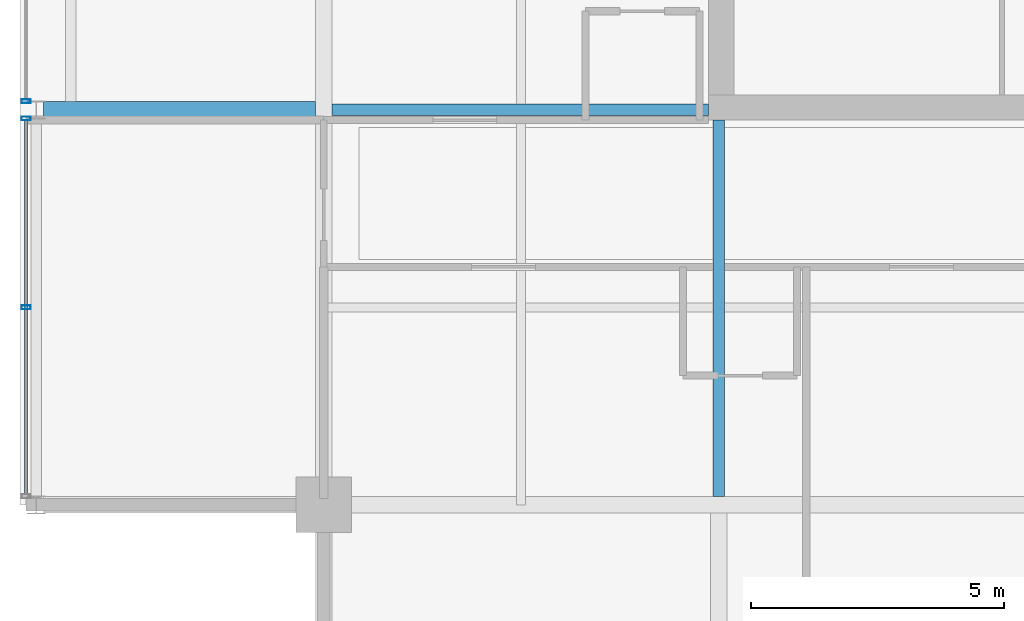
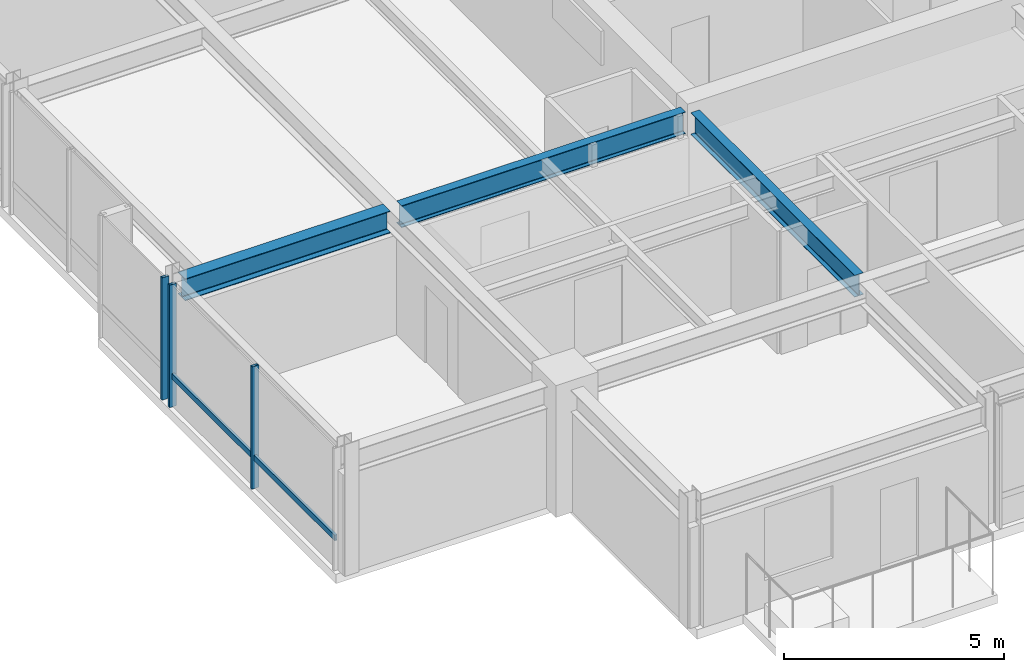
# One storey, part 6 of 34: 4 members, 3 beams, 2 elements without a shape of their own.
"""IFC4 building model written with IfcOpenShell, lengths in metres."""

from ifc_helpers import new_model, si_unit, direction, frame, origin, origin_2d, place, context, subcontext, project, spatial, hollow_rectangle, i_section, extrude, material, layer, layer_set, material_profile, profile_set, type_object, element, aggregate, save


model = new_model("IFC4")

# Units and contexts
model_context = context("Model", 3, precision=1e-05, world=origin(), true_north=direction((0.0, 1.0)))
body_context = subcontext(model_context, "Body", "Model", "MODEL_VIEW")
ifc_project = project(units=[si_unit("LENGTHUNIT", "METRE"), si_unit("AREAUNIT", "SQUARE_METRE"), si_unit("VOLUMEUNIT", "CUBIC_METRE"), si_unit("PLANEANGLEUNIT", "RADIAN"), si_unit("MASSUNIT", "GRAM", prefix="KILO")], contexts=[model_context])

# Site, building, storey
site_placement = place(None, origin())
site = spatial("IfcSite", under=ifc_project, at=site_placement, CompositionType="ELEMENT")
building_placement = place(site_placement, origin())
building = spatial("IfcBuilding", under=site, at=building_placement, Name="Drelvath Grand Hotel", CompositionType="ELEMENT")
storey_placement = place(building_placement, frame((0.0, 0.0, 286.89990234375)))
storey = spatial("IfcBuildingStorey", under=building, at=storey_placement, Name="L75", CompositionType="ELEMENT", Elevation=286.89990234375)

# Curtain wall, members
ifc_material_1 = material(Name="Platinum-Mist Anodised Aluminium Frame", Category="aluminium")
ifc_layer = layer(ifc_material_1, 0.199951171875)
ifc_layer_set = layer_set([ifc_layer], Name="Platinum-Mist Anodised Aluminium Frame")
curtain_wall_type = type_object("IfcCurtainWallType", Name="Stick Curtain Wall CW-05 Platinum Mist High-Rise", PredefinedType="NOTDEFINED", material=ifc_layer_set)
curtain_wall_1_placement = place(storey_placement, origin())
curtain_wall_1 = element("IfcCurtainWall", 1, at=curtain_wall_1_placement, inside=storey, type_object=curtain_wall_type, Name="L75 CW-05 Curtain Wall CW05-L75-WS1", PredefinedType="NOTDEFINED")
ifc_material_profile_1 = material_profile(ifc_material_1, hollow_rectangle(XDim=0.06494140625, YDim=0.159912109375, WallThickness=0.00390625, at=origin_2d()), Name="HSS160X65X4")
ifc_profile_set_1 = profile_set([ifc_material_profile_1], Name="Platinum-Mist Anodised Aluminium Frame")
member_type_1 = type_object("IfcMemberType", Name="Curtain Wall Horizontal Transom CW-05 HSS160X65X4", PredefinedType="USERDEFINED", material=ifc_profile_set_1)
member_1_placement = place(storey_placement, frame((-22.080078125, 11.010009765625, 0.84765625), z_axis=(0.0, 1.0, 0.0), x_axis=(-1.0, 0.0, 0.0)))
member_1 = element("IfcMember", 2, at=member_1_placement, type_object=member_type_1, Name="CW05-L75-WS1 Sill Transom", ObjectType="TRANSOM", PredefinedType="USERDEFINED", context=body_context, shape_type="SweptSolid", body=[
    extrude(hollow_rectangle(XDim=0.06494140625, YDim=0.159912109375, WallThickness=0.00390625, at=origin_2d()), origin(), (0.0, 0.0, 1.0), 7.3798828125),
])
ifc_material_profile_2 = material_profile(ifc_material_1, hollow_rectangle(XDim=0.074951171875, YDim=0.179931640625, WallThickness=0.0048828125, at=origin_2d()), Name="HSS180X75X5")
ifc_profile_set_2 = profile_set([ifc_material_profile_2], Name="Platinum-Mist Anodised Aluminium Frame")
member_type_2 = type_object("IfcMemberType", Name="Curtain Wall Vertical Mullion CW-05 HSS180X75X5", PredefinedType="MULLION", material=ifc_profile_set_2)
member_2_placement = place(storey_placement, frame((-22.080078125, 14.7001953125, 0.0), z_axis=(0.0, 0.0, 1.0), x_axis=(0.0, 1.0, 0.0)))
member_2 = element("IfcMember", 3, at=member_2_placement, type_object=member_type_2, Name="CW05-L75-WS1 Mullion 2", PredefinedType="MULLION", context=body_context, shape_type="SweptSolid", body=[
    extrude(hollow_rectangle(XDim=0.074951171875, YDim=0.179931640625, WallThickness=0.0048828125, at=origin_2d()), origin(), (0.0, 0.0, 1.0), 3.39013671875),
])
member_3_placement = place(storey_placement, frame((-22.080078125, 18.429931640625, 0.0), z_axis=(0.0, 0.0, 1.0), x_axis=(0.0, 1.0, 0.0)))
member_3 = element("IfcMember", 4, at=member_3_placement, type_object=member_type_2, Name="CW05-L75-WS1 Mullion 3", PredefinedType="MULLION", context=body_context, shape_type="SweptSolid", body=[
    extrude(hollow_rectangle(XDim=0.074951171875, YDim=0.179931640625, WallThickness=0.0048828125, at=origin_2d()), origin(), (0.0, 0.0, 1.0), 3.39013671875),
])
aggregate(curtain_wall_1, [member_2, member_3, member_1])

# Curtain wall, member
curtain_wall_2_placement = place(storey_placement, origin())
curtain_wall_2 = element("IfcCurtainWall", 5, at=curtain_wall_2_placement, inside=storey, type_object=curtain_wall_type, Name="L75 CW-05 Curtain Wall CW05-L75-WS2", PredefinedType="NOTDEFINED")
member_4_placement = place(storey_placement, frame((-22.080078125, 18.77001953125, 0.0), z_axis=(0.0, 0.0, 1.0), x_axis=(0.0, 1.0, 0.0)))
member_4 = element("IfcMember", 6, at=member_4_placement, type_object=member_type_2, Name="CW05-L75-WS2 Mullion 1", PredefinedType="MULLION", context=body_context, shape_type="SweptSolid", body=[
    extrude(hollow_rectangle(XDim=0.074951171875, YDim=0.179931640625, WallThickness=0.0048828125, at=origin_2d()), origin(), (0.0, 0.0, 1.0), 3.39013671875),
])
aggregate(curtain_wall_2, [member_4])

# Beams
ifc_material_2 = material(Name="Steel ASTM A992 Gr 50", Category="steel")
ifc_material_profile_3 = material_profile(ifc_material_2, i_section(OverallWidth=0.323974609375, OverallDepth=0.611083984375, WebThickness=0.0126953125, FlangeThickness=0.01904296875, FilletRadius=0.02197265625, at=origin_2d()), Name="W24X104")
ifc_profile_set_3 = profile_set([ifc_material_profile_3], Name="Steel ASTM A992 Gr 50")
beam_type_1 = type_object("IfcBeamType", Name="Primary Floor Girder W24X104", PredefinedType="BEAM", material=ifc_profile_set_3)
beam_placement = place(storey_placement, frame((-21.739990234375, 18.60009765625, 3.084716796875), z_axis=(1.0, 0.0, 0.0), x_axis=(0.0, 1.0, 0.0)))
element("IfcBeam", 7, at=beam_placement, inside=storey, type_object=beam_type_1, Name="L75 West Wing Girder D", PredefinedType="BEAM", context=body_context, shape_type="SweptSolid", body=[
    extrude(i_section(OverallWidth=0.323974609375, OverallDepth=0.611083984375, WebThickness=0.0126953125, FlangeThickness=0.01904296875, FilletRadius=0.02197265625, at=origin_2d()), origin(), (0.0, 0.0, 1.0), 5.3779296875),
])
ifc_material_profile_4 = material_profile(ifc_material_2, i_section(OverallWidth=0.228271484375, OverallDepth=0.607666015625, WebThickness=0.01123046875, FlangeThickness=0.017333984375, FilletRadius=0.02001953125, at=origin_2d()), Name="W24X76")
ifc_profile_set_4 = profile_set([ifc_material_profile_4], Name="Steel ASTM A992 Gr 50")
beam_type_2 = type_object("IfcBeamType", Name="Primary Floor Girder W24X76", PredefinedType="BEAM", material=ifc_profile_set_4)
for number, where, z_axis, x_axis, name in (
    (8, (-16.0380859375, 18.60009765625, 3.086181640625), (1.0, 0.0, 0.0), (0.0, 1.0, 0.0), "L75 West Core Tie D"),
    (9, (-8.39990234375, 10.9619140625, 3.086181640625), (0.0, 1.0, 0.0), (-1.0, 0.0, 0.0), "L75 South Core Tie 4"),
):
    element("IfcBeam", number, at=place(storey_placement, frame(where, z_axis=z_axis, x_axis=x_axis)), inside=storey, type_object=beam_type_2, Name=name, PredefinedType="BEAM", context=body_context, shape_type="SweptSolid", body=[
        extrude(i_section(OverallWidth=0.228271484375, OverallDepth=0.607666015625, WebThickness=0.01123046875, FlangeThickness=0.017333984375, FilletRadius=0.02001953125, at=origin_2d()), origin(), (0.0, 0.0, 1.0), 7.43798828125),
    ])

save(model, "model.ifc")
